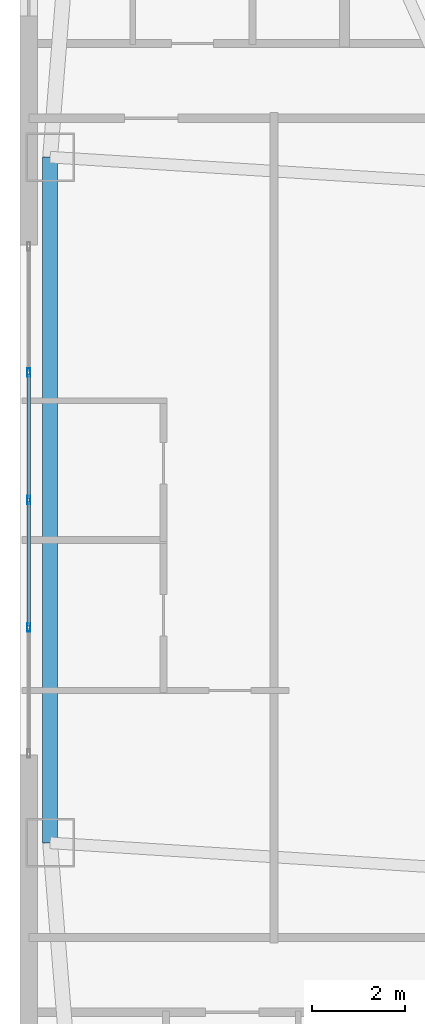
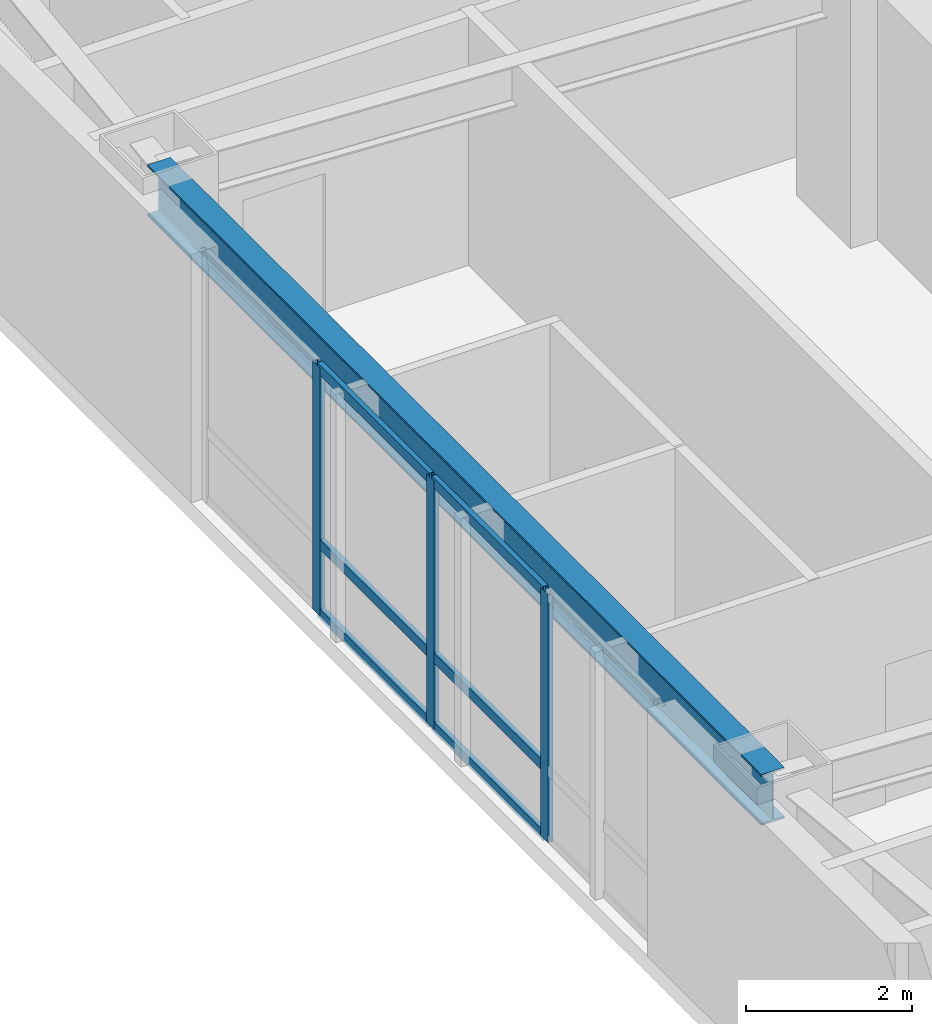
# One storey, part 6 of 28: 9 members, 1 beam, 1 element without a shape of its own.
"""IFC4 building model written with IfcOpenShell, lengths in metres."""

from ifc_helpers import new_model, si_unit, direction, frame, origin, origin_2d, place, context, subcontext, project, spatial, hollow_rectangle, i_section, extrude, material, layer, layer_set, material_profile, profile_set, type_object, element, aggregate, save


model = new_model("IFC4")

# Units and contexts
model_context = context("Model", 3, precision=1e-05, world=origin(), true_north=direction((0.0, 1.0)))
body_context = subcontext(model_context, "Body", "Model", "MODEL_VIEW")
ifc_project = project(units=[si_unit("LENGTHUNIT", "METRE"), si_unit("AREAUNIT", "SQUARE_METRE"), si_unit("VOLUMEUNIT", "CUBIC_METRE"), si_unit("PLANEANGLEUNIT", "RADIAN"), si_unit("MASSUNIT", "GRAM", prefix="KILO")], contexts=[model_context])

# Site, building, storey
site_placement = place(None, origin())
site = spatial("IfcSite", under=ifc_project, at=site_placement, CompositionType="ELEMENT")
building_placement = place(site_placement, origin())
building = spatial("IfcBuilding", under=site, at=building_placement, Name="Voryun Gate Residences", CompositionType="ELEMENT")
storey_placement = place(building_placement, frame((0.0, 0.0, 117.0)))
storey = spatial("IfcBuildingStorey", under=building, at=storey_placement, Name="L28", CompositionType="ELEMENT", Elevation=117.0)

# Beam
ifc_material_1 = material(Name="Steel SM355", Category="steel")
ifc_material_profile_1 = material_profile(ifc_material_1, i_section(OverallWidth=0.320068359375, OverallDepth=0.75, WebThickness=0.01611328125, FlangeThickness=0.028076171875, FilletRadius=0.01806640625, at=origin_2d()), Name="H-750x320x16x28")
ifc_profile_set_1 = profile_set([ifc_material_profile_1], Name="Steel SM355")
beam_type = type_object("IfcBeamType", Name="BM_EXO_SPANDREL_L", PredefinedType="SPANDREL", material=ifc_profile_set_1)
beam_placement = place(storey_placement, frame((-28.75, 7.998046875, 3.27490234375), z_axis=(0.0, -1.0, 0.0), x_axis=(1.0, 0.0, 0.0)))
element("IfcBeam", 1, at=beam_placement, inside=storey, type_object=beam_type, Name="BM-L28-SPAND-18", PredefinedType="SPANDREL", context=body_context, shape_type="SweptSolid", body=[
    extrude(i_section(OverallWidth=0.320068359375, OverallDepth=0.75, WebThickness=0.01611328125, FlangeThickness=0.028076171875, FilletRadius=0.01806640625, at=origin_2d()), origin(), (0.0, 0.0, 1.0), 14.796142578125),
])

# Curtain wall, members
ifc_material_2 = material(Name="Anodised aluminium", Category="aluminium")
ifc_layer = layer(ifc_material_2, 0.179931640625, Name="CW_SYS_RES_A_DARK_GLASS")
ifc_layer_set = layer_set([ifc_layer], Name="Anodised aluminium")
curtain_wall_type = type_object("IfcCurtainWallType", Name="CW_SYS_RES_A_DARK_GLASS", PredefinedType="NOTDEFINED", material=ifc_layer_set)
curtain_wall_placement = place(storey_placement, origin())
curtain_wall = element("IfcCurtainWall", 2, at=curtain_wall_placement, inside=storey, type_object=curtain_wall_type, Name="Curtain wall CWT-L28-06", PredefinedType="NOTDEFINED")
ifc_material_3 = material(Name="Anodised aluminium", Category="aluminium")
ifc_material_profile_2 = material_profile(ifc_material_3, hollow_rectangle(XDim=0.070068359375, YDim=0.179931640625, WallThickness=0.00390625, at=origin_2d()), Name="ALU-MULL-180x70x4")
ifc_profile_set_2 = profile_set([ifc_material_profile_2], Name="Anodised aluminium")
member_type_1 = type_object("IfcMemberType", Name="CW_MULL_RES", PredefinedType="MULLION", material=ifc_profile_set_2)
member_1_placement = place(storey_placement, frame((-29.2099609375, -2.14892578125, 0.0), z_axis=(0.0, 0.0, 1.0), x_axis=(-1.0, 0.0, 0.0)))
member_1 = element("IfcMember", 3, at=member_1_placement, type_object=member_type_1, Name="CW3 mullion 2", PredefinedType="MULLION", context=body_context, shape_type="SweptSolid", body=[
    extrude(hollow_rectangle(XDim=0.070068359375, YDim=0.179931640625, WallThickness=0.00390625, at=origin_2d()), origin(), (0.0, 0.0, 1.0), 3.64990234375),
])
member_2_placement = place(storey_placement, frame((-29.2099609375, 0.60009765625, 0.0), z_axis=(0.0, 0.0, 1.0), x_axis=(-1.0, 0.0, 0.0)))
member_2 = element("IfcMember", 4, at=member_2_placement, type_object=member_type_1, Name="CW3 mullion 3", PredefinedType="MULLION", context=body_context, shape_type="SweptSolid", body=[
    extrude(hollow_rectangle(XDim=0.070068359375, YDim=0.179931640625, WallThickness=0.00390625, at=origin_2d()), origin(), (0.0, 0.0, 1.0), 3.64990234375),
])
member_3_placement = place(storey_placement, frame((-29.2099609375, 3.34912109375, 0.0), z_axis=(0.0, 0.0, 1.0), x_axis=(-1.0, 0.0, 0.0)))
member_3 = element("IfcMember", 5, at=member_3_placement, type_object=member_type_1, Name="CW3 mullion 4", PredefinedType="MULLION", context=body_context, shape_type="SweptSolid", body=[
    extrude(hollow_rectangle(XDim=0.070068359375, YDim=0.179931640625, WallThickness=0.00390625, at=origin_2d()), origin(), (0.0, 0.0, 1.0), 3.64990234375),
])
ifc_material_4 = material(Name="Anodised aluminium", Category="aluminium")
ifc_material_profile_3 = material_profile(ifc_material_4, hollow_rectangle(XDim=0.070068359375, YDim=0.14990234375, WallThickness=0.00390625, at=origin_2d()), Name="ALU-TRAN-150x70x4")
ifc_profile_set_3 = profile_set([ifc_material_profile_3], Name="Anodised aluminium")
member_type_2 = type_object("IfcMemberType", Name="CW_TRAN_RES", PredefinedType="USERDEFINED", material=ifc_profile_set_3)
member_4_placement = place(storey_placement, frame((-29.2099609375, -2.118896484375, 0.030029296875), z_axis=(0.0, 1.0, 0.0), x_axis=(-1.0, 0.0, 0.0)))
member_4 = element("IfcMember", 6, at=member_4_placement, type_object=member_type_2, Name="CW3 transom 2.1", ObjectType="TRANSOM", PredefinedType="USERDEFINED", context=body_context, shape_type="SweptSolid", body=[
    extrude(hollow_rectangle(XDim=0.070068359375, YDim=0.14990234375, WallThickness=0.00390625, at=origin_2d()), origin(), (0.0, 0.0, 1.0), 2.68896484375),
])
member_5_placement = place(storey_placement, frame((-29.2099609375, -2.118896484375, 1.050048828125), z_axis=(0.0, 1.0, 0.0), x_axis=(-1.0, 0.0, 0.0)))
member_5 = element("IfcMember", 7, at=member_5_placement, type_object=member_type_2, Name="CW3 transom 2.2", ObjectType="TRANSOM", PredefinedType="USERDEFINED", context=body_context, shape_type="SweptSolid", body=[
    extrude(hollow_rectangle(XDim=0.070068359375, YDim=0.14990234375, WallThickness=0.00390625, at=origin_2d()), origin(), (0.0, 0.0, 1.0), 2.68896484375),
])
member_6_placement = place(storey_placement, frame((-29.2099609375, -2.118896484375, 3.6201171875), z_axis=(0.0, 1.0, 0.0), x_axis=(-1.0, 0.0, 0.0)))
member_6 = element("IfcMember", 8, at=member_6_placement, type_object=member_type_2, Name="CW3 transom 2.3", ObjectType="TRANSOM", PredefinedType="USERDEFINED", context=body_context, shape_type="SweptSolid", body=[
    extrude(hollow_rectangle(XDim=0.070068359375, YDim=0.14990234375, WallThickness=0.00390625, at=origin_2d()), origin(), (0.0, 0.0, 1.0), 2.68896484375),
])
member_7_placement = place(storey_placement, frame((-29.2099609375, 0.6298828125, 0.030029296875), z_axis=(0.0, 1.0, 0.0), x_axis=(-1.0, 0.0, 0.0)))
member_7 = element("IfcMember", 9, at=member_7_placement, type_object=member_type_2, Name="CW3 transom 3.1", ObjectType="TRANSOM", PredefinedType="USERDEFINED", context=body_context, shape_type="SweptSolid", body=[
    extrude(hollow_rectangle(XDim=0.070068359375, YDim=0.14990234375, WallThickness=0.00390625, at=origin_2d()), origin(), (0.0, 0.0, 1.0), 2.689208984375),
])
member_8_placement = place(storey_placement, frame((-29.2099609375, 0.6298828125, 1.050048828125), z_axis=(0.0, 1.0, 0.0), x_axis=(-1.0, 0.0, 0.0)))
member_8 = element("IfcMember", 10, at=member_8_placement, type_object=member_type_2, Name="CW3 transom 3.2", ObjectType="TRANSOM", PredefinedType="USERDEFINED", context=body_context, shape_type="SweptSolid", body=[
    extrude(hollow_rectangle(XDim=0.070068359375, YDim=0.14990234375, WallThickness=0.00390625, at=origin_2d()), origin(), (0.0, 0.0, 1.0), 2.689208984375),
])
member_9_placement = place(storey_placement, frame((-29.2099609375, 0.6298828125, 3.6201171875), z_axis=(0.0, 1.0, 0.0), x_axis=(-1.0, 0.0, 0.0)))
member_9 = element("IfcMember", 11, at=member_9_placement, type_object=member_type_2, Name="CW3 transom 3.3", ObjectType="TRANSOM", PredefinedType="USERDEFINED", context=body_context, shape_type="SweptSolid", body=[
    extrude(hollow_rectangle(XDim=0.070068359375, YDim=0.14990234375, WallThickness=0.00390625, at=origin_2d()), origin(), (0.0, 0.0, 1.0), 2.689208984375),
])
aggregate(curtain_wall, [member_1, member_2, member_3, member_4, member_5, member_6, member_7, member_8, member_9])

save(model, "model.ifc")
